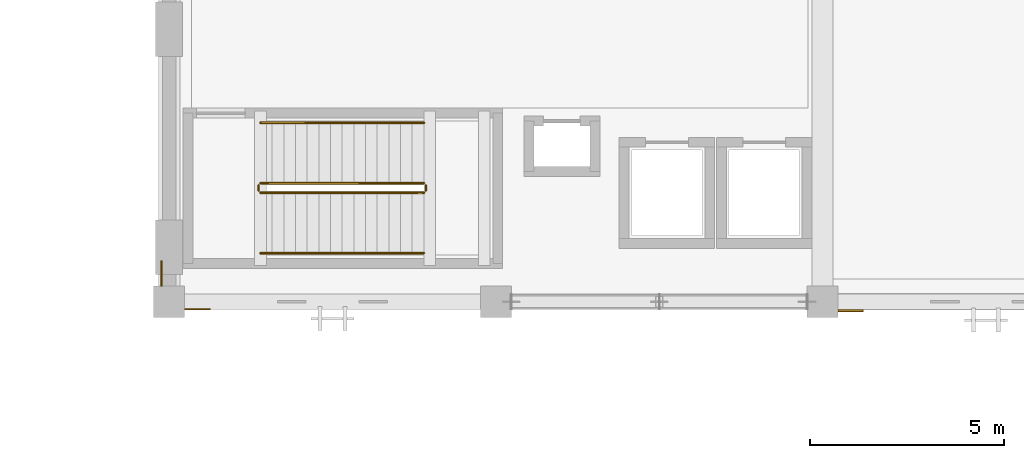
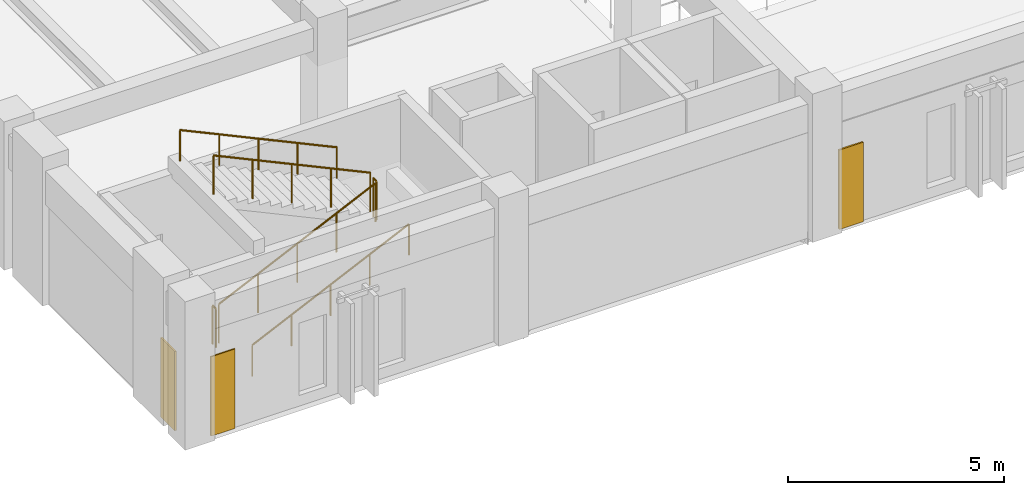
# One storey, part 103 of 132: 6 railings, 3 coverings.
"""IFC4 building model written with IfcOpenShell, lengths in metres."""

from ifc_helpers import new_model, si_unit, direction, frame, origin, origin_2d, place, context, subcontext, project, spatial, polyline, circle, outline, extrude, material, layer, layer_set, type_object, element, save


model = new_model("IFC4")

# Units and contexts
model_context = context("Model", 3, precision=1e-05, world=origin(), true_north=direction((0.0, 1.0)))
body_context = subcontext(model_context, "Body", "Model", "MODEL_VIEW")
ifc_project = project(units=[si_unit("LENGTHUNIT", "METRE"), si_unit("AREAUNIT", "SQUARE_METRE"), si_unit("VOLUMEUNIT", "CUBIC_METRE"), si_unit("PLANEANGLEUNIT", "RADIAN"), si_unit("MASSUNIT", "GRAM", prefix="KILO")], contexts=[model_context])

# Site, building, storey
site_placement = place(None, origin())
site = spatial("IfcSite", under=ifc_project, at=site_placement, CompositionType="ELEMENT")
building_placement = place(site_placement, origin())
building = spatial("IfcBuilding", under=site, at=building_placement, Name="Cumbredor Promenade Congress Hotel", CompositionType="ELEMENT")
storey_placement = place(building_placement, frame((0.0, 0.0, 7.56005859375)))
storey = spatial("IfcBuildingStorey", under=building, at=storey_placement, Name="L02", CompositionType="ELEMENT", Elevation=7.56005859375)

# Coverings
ifc_material_1 = material(Name="Precast concrete C40/50", Category="concrete")
ifc_layer_1 = layer(ifc_material_1, 0.044921875, Name="Precast concrete C40/50", Category="concrete")
ifc_layer_set_1 = layer_set([ifc_layer_1], Name="Precast concrete C40/50")
covering_type_1 = type_object("IfcCoveringType", Name="Board-Formed Architectural Cladding Panel 45mm", PredefinedType="CLADDING", material=ifc_layer_set_1)
covering_1_placement = place(storey_placement, origin())
element("IfcCovering", 1, at=covering_1_placement, inside=storey, type_object=covering_type_1, Name="L02 Facade Stone Cladding Pier 094", PredefinedType="CLADDING", context=body_context, shape_type="SweptSolid", body=[
    extrude(outline(polyline([(25.60107421875, 8.1875), (26.2509765625, 8.1875), (26.2509765625, 8.142578125), (25.60107421875, 8.142578125), (25.60107421875, 8.1875)])), origin(), (0.0, 0.0, 1.0), 2.25),
])
covering_2_placement = place(storey_placement, origin())
element("IfcCovering", 2, at=covering_2_placement, inside=storey, type_object=covering_type_1, Name="L02 Facade Stone Cladding Pier 098", PredefinedType="CLADDING", context=body_context, shape_type="SweptSolid", body=[
    extrude(outline(polyline([(8.22509765625, 8.801025390625), (8.22509765625, 9.450927734375), (8.179931640625, 9.450927734375), (8.179931640625, 8.801025390625), (8.22509765625, 8.801025390625)])), origin(), (0.0, 0.0, 1.0), 2.25),
])

# Railings
ifc_material_2 = material(Name="Brushed stainless steel", Category="steel")
railing_type_1 = type_object("IfcRailingType", Name="Interior Void & Stair Guardrail GR-1100", PredefinedType="GUARDRAIL", material=ifc_material_2)
railing_1_placement = place(storey_placement, frame((10.75, 11.199951171875, 0.139892578125)))
element("IfcRailing", 3, at=railing_1_placement, inside=storey, type_object=railing_type_1, Name="L02 ST-04 stair guard 1", PredefinedType="GUARDRAIL", context=body_context, shape_type="SweptSolid", body=[
    extrude(circle(Radius=0.02392578125, at=origin_2d()), frame((0.0, 0.0, 1.09619140625), z_axis=(0.906184485727, 0.0, 0.422882581609), x_axis=(0.0, 1.0, 0.0)), (0.0, 0.0, 1.0), 4.634765625),
    extrude(circle(Radius=0.02099609375, at=origin_2d()), origin(), (0.0, 0.0, 1.0), 1.072021484375),
    extrude(circle(Radius=0.02099609375, at=origin_2d()), frame((1.050048828125, 0.0, 0.489990234375)), (0.0, 0.0, 1.0), 1.072021484375),
    extrude(circle(Radius=0.02099609375, at=origin_2d()), frame((2.10009765625, 0.0, 0.97998046875)), (0.0, 0.0, 1.0), 1.072021484375),
    extrude(circle(Radius=0.02099609375, at=origin_2d()), frame((3.14990234375, 0.0, 1.469970703125)), (0.0, 0.0, 1.0), 1.072021484375),
    extrude(circle(Radius=0.02099609375, at=origin_2d()), frame((4.199951171875, 0.0, 1.9599609375)), (0.0, 0.0, 1.0), 1.072021484375),
])
railing_2_placement = place(storey_placement, frame((15.0, 11.25, 2.099853515625)))
element("IfcRailing", 4, at=railing_2_placement, inside=storey, type_object=railing_type_1, Name="L02 ST-04 stair guard 2", PredefinedType="GUARDRAIL", context=body_context, shape_type="SweptSolid", body=[
    extrude(circle(Radius=0.02392578125, at=origin_2d()), frame((0.0, 0.0, 1.09619140625), z_axis=(0.0, 1.0, 0.0), x_axis=(-1.0, 0.0, 0.0)), (0.0, 0.0, 1.0), 0.14990234375),
    extrude(circle(Radius=0.02099609375, at=origin_2d()), origin(), (0.0, 0.0, 1.0), 1.072021484375),
    extrude(circle(Radius=0.02099609375, at=origin_2d()), frame((0.0, 0.14990234375, 0.0)), (0.0, 0.0, 1.0), 1.072021484375),
])
railing_3_placement = place(storey_placement, frame((14.949951171875, 11.449951171875, 2.239990234375)))
element("IfcRailing", 5, at=railing_3_placement, inside=storey, type_object=railing_type_1, Name="L02 ST-04 stair guard 3", PredefinedType="GUARDRAIL", context=body_context, shape_type="SweptSolid", body=[
    extrude(circle(Radius=0.02392578125, at=origin_2d()), frame((0.0, 0.0, 1.09619140625), z_axis=(-0.906184485727, 0.0, 0.422882581609), x_axis=(0.0, -1.0, 0.0)), (0.0, 0.0, 1.0), 4.634765625),
    extrude(circle(Radius=0.02099609375, at=origin_2d()), origin(), (0.0, 0.0, 1.0), 1.072021484375),
    extrude(circle(Radius=0.02099609375, at=origin_2d()), frame((-1.050048828125, 0.0, 0.489990234375)), (0.0, 0.0, 1.0), 1.072021484375),
    extrude(circle(Radius=0.02099609375, at=origin_2d()), frame((-2.10009765625, 0.0, 0.97998046875)), (0.0, 0.0, 1.0), 1.072021484375),
    extrude(circle(Radius=0.02099609375, at=origin_2d()), frame((-3.14990234375, 0.0, 1.469970703125)), (0.0, 0.0, 1.0), 1.072021484375),
    extrude(circle(Radius=0.02099609375, at=origin_2d()), frame((-4.199951171875, 0.0, 1.9599609375)), (0.0, 0.0, 1.0), 1.072021484375),
])
railing_4_placement = place(storey_placement, frame((10.699951171875, 11.25, 0.0)))
element("IfcRailing", 6, at=railing_4_placement, inside=storey, type_object=railing_type_1, Name="L02 ST-04 stair guard 4", PredefinedType="GUARDRAIL", context=body_context, shape_type="SweptSolid", body=[
    extrude(circle(Radius=0.02392578125, at=origin_2d()), frame((0.0, 0.0, 1.09619140625), z_axis=(0.0, 1.0, 0.0), x_axis=(-1.0, 0.0, 0.0)), (0.0, 0.0, 1.0), 0.14990234375),
    extrude(circle(Radius=0.02099609375, at=origin_2d()), origin(), (0.0, 0.0, 1.0), 1.072021484375),
    extrude(circle(Radius=0.02099609375, at=origin_2d()), frame((0.0, 0.14990234375, 0.0)), (0.0, 0.0, 1.0), 1.072021484375),
])
railing_type_2 = type_object("IfcRailingType", Name="Stair Pitch Handrail HR-900", PredefinedType="HANDRAIL", material=ifc_material_2)
railing_5_placement = place(storey_placement, frame((10.75, 9.64990234375, 0.139892578125)))
element("IfcRailing", 7, at=railing_5_placement, inside=storey, type_object=railing_type_2, Name="L02 ST-04 stair handrail 1", PredefinedType="HANDRAIL", context=body_context, shape_type="SweptSolid", body=[
    extrude(circle(Radius=0.02392578125, at=origin_2d()), frame((0.0, 0.0, 0.8759765625), z_axis=(0.906184485727, 0.0, 0.422882581609), x_axis=(0.0, 1.0, 0.0)), (0.0, 0.0, 1.0), 4.634765625),
    extrude(circle(Radius=0.02099609375, at=origin_2d()), origin(), (0.0, 0.0, 1.0), 0.851806640625),
    extrude(circle(Radius=0.02099609375, at=origin_2d()), frame((1.050048828125, 0.0, 0.489990234375)), (0.0, 0.0, 1.0), 0.851806640625),
    extrude(circle(Radius=0.02099609375, at=origin_2d()), frame((2.10009765625, 0.0, 0.97998046875)), (0.0, 0.0, 1.0), 0.851806640625),
    extrude(circle(Radius=0.02099609375, at=origin_2d()), frame((3.14990234375, 0.0, 1.469970703125)), (0.0, 0.0, 1.0), 0.851806640625),
    extrude(circle(Radius=0.02099609375, at=origin_2d()), frame((4.199951171875, 0.0, 1.9599609375)), (0.0, 0.0, 1.0), 0.851806640625),
])
railing_6_placement = place(storey_placement, frame((14.949951171875, 13.0, 2.239990234375)))
element("IfcRailing", 8, at=railing_6_placement, inside=storey, type_object=railing_type_2, Name="L02 ST-04 stair handrail 2", PredefinedType="HANDRAIL", context=body_context, shape_type="SweptSolid", body=[
    extrude(circle(Radius=0.02392578125, at=origin_2d()), frame((0.0, 0.0, 0.8759765625), z_axis=(-0.906184485727, 0.0, 0.422882581609), x_axis=(0.0, -1.0, 0.0)), (0.0, 0.0, 1.0), 4.634765625),
    extrude(circle(Radius=0.02099609375, at=origin_2d()), origin(), (0.0, 0.0, 1.0), 0.851806640625),
    extrude(circle(Radius=0.02099609375, at=origin_2d()), frame((-1.050048828125, 0.0, 0.489990234375)), (0.0, 0.0, 1.0), 0.851806640625),
    extrude(circle(Radius=0.02099609375, at=origin_2d()), frame((-2.10009765625, 0.0, 0.97998046875)), (0.0, 0.0, 1.0), 0.851806640625),
    extrude(circle(Radius=0.02099609375, at=origin_2d()), frame((-3.14990234375, 0.0, 1.469970703125)), (0.0, 0.0, 1.0), 0.851806640625),
    extrude(circle(Radius=0.02099609375, at=origin_2d()), frame((-4.199951171875, 0.0, 1.9599609375)), (0.0, 0.0, 1.0), 0.851806640625),
])

# Covering
ifc_material_3 = material(Name="Volcanic andesite ashlar cladding", Category="masonry")
ifc_layer_2 = layer(ifc_material_3, 0.034912109375, Name="Volcanic andesite ashlar cladding", Category="masonry")
ifc_layer_set_2 = layer_set([ifc_layer_2], Name="Volcanic andesite ashlar cladding")
covering_type_2 = type_object("IfcCoveringType", Name="Volcanic Andesite Ashlar Rainscreen Cladding 35mm", PredefinedType="CLADDING", material=ifc_layer_set_2)
covering_3_placement = place(storey_placement, origin())
element("IfcCovering", 9, at=covering_3_placement, inside=storey, type_object=covering_type_2, Name="L02 Facade Stone Cladding Pier 093", PredefinedType="CLADDING", context=body_context, shape_type="SweptSolid", body=[
    extrude(outline(polyline([(8.801025390625, 8.22509765625), (9.450927734375, 8.22509765625), (9.450927734375, 8.18994140625), (8.801025390625, 8.18994140625), (8.801025390625, 8.22509765625)])), origin(), (0.0, 0.0, 1.0), 2.25),
])

save(model, "model.ifc")
